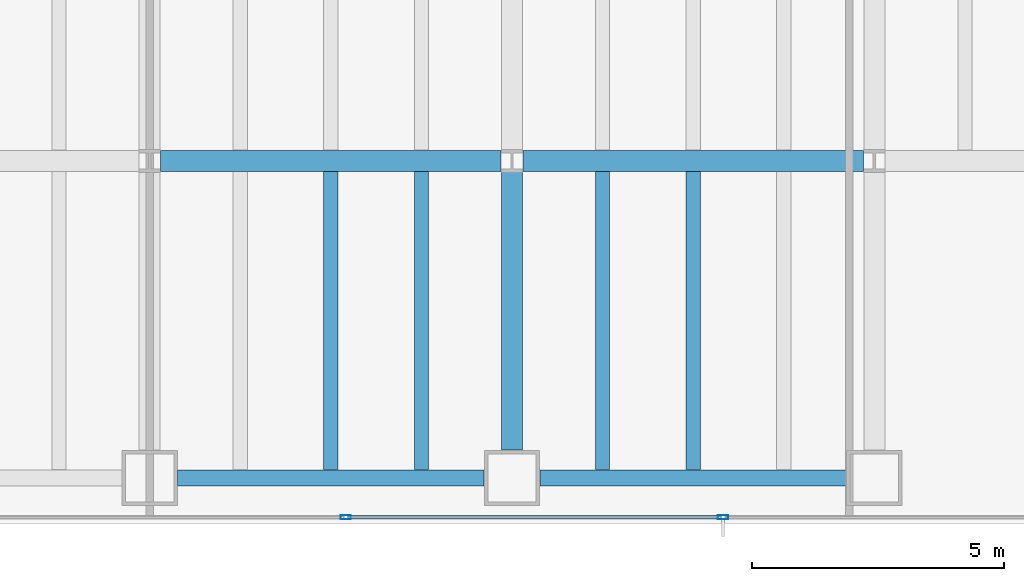
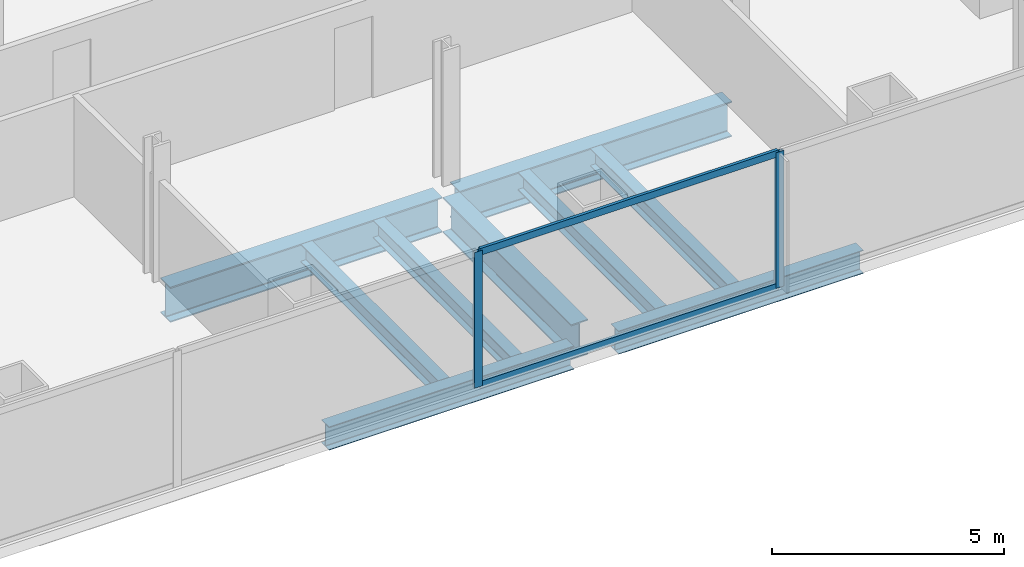
# One storey, part 7 of 25: 9 beams, 4 members, 1 element without a shape of its own.
"""IFC4 building model written with IfcOpenShell, lengths in metres."""

from ifc_helpers import new_model, si_unit, direction, frame, origin, origin_2d, place, context, subcontext, project, spatial, hollow_rectangle, i_section, extrude, material, material_profile, profile_set, type_object, element, aggregate, save


model = new_model("IFC4")

# Units and contexts
model_context = context("Model", 3, precision=1e-05, world=origin(), true_north=direction((0.0, 1.0)))
body_context = subcontext(model_context, "Body", "Model", "MODEL_VIEW")
ifc_project = project(units=[si_unit("LENGTHUNIT", "METRE"), si_unit("AREAUNIT", "SQUARE_METRE"), si_unit("VOLUMEUNIT", "CUBIC_METRE"), si_unit("PLANEANGLEUNIT", "RADIAN"), si_unit("MASSUNIT", "GRAM", prefix="KILO")], contexts=[model_context])

# Site, building, storey
site_placement = place(None, origin())
site = spatial("IfcSite", under=ifc_project, at=site_placement, CompositionType="ELEMENT")
building_placement = place(site_placement, origin())
building = spatial("IfcBuilding", under=site, at=building_placement, Name="Cobrela Telecom Tower", CompositionType="ELEMENT")
storey_placement = place(building_placement, frame((0.0, 0.0, 35.0)))
storey = spatial("IfcBuildingStorey", under=building, at=storey_placement, Name="L08", CompositionType="ELEMENT", Elevation=35.0)

# Beams
ifc_material_1 = material(Name="Steel ASTM A992 Grade 50", Category="steel")
ifc_material_profile_1 = material_profile(ifc_material_1, i_section(OverallWidth=0.4189453125, OverallDepth=0.927001953125, WebThickness=0.019287109375, FlangeThickness=0.031982421875, FilletRadius=0.02392578125, at=origin_2d()), Name="W36X231")
ifc_profile_set_1 = profile_set([ifc_material_profile_1], Name="Steel ASTM A992 Grade 50")
beam_type_1 = type_object("IfcBeamType", Name="BM-GIRD-02", PredefinedType="USERDEFINED", material=ifc_profile_set_1)
for number, where, z_axis, x_axis, name in (
    (1, (29.01611328125, 7.199951171875, -0.743408203125), (1.0, 0.0, 0.0), (0.0, 1.0, 0.0), "L08 Primary Girder X10"),
    (2, (36.216064453125, 7.199951171875, -0.743408203125), (1.0, 0.0, 0.0), (0.0, 1.0, 0.0), "L08 Primary Girder X11"),
):
    element("IfcBeam", number, at=place(storey_placement, frame(where, z_axis=z_axis, x_axis=x_axis)), inside=storey, type_object=beam_type_1, Name=name, ObjectType="GIRDER", PredefinedType="USERDEFINED", context=body_context, shape_type="SweptSolid", body=[
        extrude(i_section(OverallWidth=0.4189453125, OverallDepth=0.927001953125, WebThickness=0.019287109375, FlangeThickness=0.031982421875, FilletRadius=0.02392578125, at=origin_2d()), origin(), (0.0, 0.0, 1.0), 6.767822265625),
    ])
beam_placement = place(storey_placement, frame((36.0, 1.455078125, -0.743408203125), z_axis=(0.0, 1.0, 0.0), x_axis=(-1.0, 0.0, 0.0)))
element("IfcBeam", 3, at=beam_placement, inside=storey, type_object=beam_type_1, Name="L08 Primary Girder Y50", ObjectType="GIRDER", PredefinedType="USERDEFINED", context=body_context, shape_type="SweptSolid", body=[
    extrude(i_section(OverallWidth=0.4189453125, OverallDepth=0.927001953125, WebThickness=0.019287109375, FlangeThickness=0.031982421875, FilletRadius=0.02392578125, at=origin_2d()), origin(), (0.0, 0.0, 1.0), 5.52880859375),
])
ifc_material_profile_2 = material_profile(ifc_material_1, i_section(OverallWidth=0.281982421875, OverallDepth=0.467041015625, WebThickness=0.01220703125, FlangeThickness=0.01953125, FilletRadius=0.012939453125, at=origin_2d()), Name="W18X86")
ifc_profile_set_2 = profile_set([ifc_material_profile_2], Name="Steel ASTM A992 Grade 50")
beam_type_2 = type_object("IfcBeamType", Name="BM-JOIST-02", PredefinedType="JOIST", material=ifc_profile_set_2)
for number, where, z_axis, x_axis, name in (
    (4, (32.39990234375, 1.0673828125, -0.513427734375), (0.0, 1.0, 0.0), (-1.0, 0.0, 0.0), "L08 Secondary Composite Floor Beam J44"),
    (5, (34.199951171875, 1.0673828125, -0.513427734375), (0.0, 1.0, 0.0), (-1.0, 0.0, 0.0), "L08 Secondary Composite Floor Beam J47"),
    (6, (37.800048828125, 1.0673828125, -0.513427734375), (0.0, 1.0, 0.0), (-1.0, 0.0, 0.0), "L08 Secondary Composite Floor Beam J50"),
    (7, (39.60009765625, 1.0673828125, -0.513427734375), (0.0, 1.0, 0.0), (-1.0, 0.0, 0.0), "L08 Secondary Composite Floor Beam J53"),
):
    element("IfcBeam", number, at=place(storey_placement, frame(where, z_axis=z_axis, x_axis=x_axis)), inside=storey, type_object=beam_type_2, Name=name, PredefinedType="JOIST", context=body_context, shape_type="SweptSolid", body=[
        extrude(i_section(OverallWidth=0.281982421875, OverallDepth=0.467041015625, WebThickness=0.01220703125, FlangeThickness=0.01953125, FilletRadius=0.012939453125, at=origin_2d()), origin(), (0.0, 0.0, 1.0), 5.918212890625),
    ])
ifc_material_profile_3 = material_profile(ifc_material_1, i_section(OverallWidth=0.324951171875, OverallDepth=0.612060546875, WebThickness=0.0126953125, FlangeThickness=0.01904296875, FilletRadius=0.014892578125, at=origin_2d()), Name="W24X104")
ifc_profile_set_3 = profile_set([ifc_material_profile_3], Name="Steel ASTM A992 Grade 50")
beam_type_3 = type_object("IfcBeamType", Name="BM-SPAND-02", PredefinedType="SPANDREL", material=ifc_profile_set_3)
for number, where, z_axis, x_axis, name in (
    (8, (29.35498046875, 0.89990234375, -0.5859375), (1.0, 0.0, 0.0), (0.0, 1.0, 0.0), "L08 Perimeter Spandrel X04"),
    (9, (36.554931640625, 0.89990234375, -0.5859375), (1.0, 0.0, 0.0), (0.0, 1.0, 0.0), "L08 Perimeter Spandrel X05"),
):
    element("IfcBeam", number, at=place(storey_placement, frame(where, z_axis=z_axis, x_axis=x_axis)), inside=storey, type_object=beam_type_3, Name=name, PredefinedType="SPANDREL", context=body_context, shape_type="SweptSolid", body=[
        extrude(i_section(OverallWidth=0.324951171875, OverallDepth=0.612060546875, WebThickness=0.0126953125, FlangeThickness=0.01904296875, FilletRadius=0.014892578125, at=origin_2d()), origin(), (0.0, 0.0, 1.0), 6.090087890625),
    ])

# Curtain wall, members
ifc_material_2 = material(Name="Anodized Bronze Aluminium 6063-T6", Category="aluminium")
curtain_wall_type = type_object("IfcCurtainWallType", Name="CW-SYS-DATA", PredefinedType="USERDEFINED", material=ifc_material_2)
curtain_wall_placement = place(storey_placement, origin())
curtain_wall = element("IfcCurtainWall", 10, at=curtain_wall_placement, inside=storey, type_object=curtain_wall_type, Name="L08 Unitised Bronze Curtain Wall 17", ObjectType="UNITISED CURTAIN WALL", PredefinedType="USERDEFINED")
ifc_material_profile_4 = material_profile(ifc_material_2, hollow_rectangle(XDim=0.080078125, YDim=0.199951171875, WallThickness=0.00390625, at=origin_2d()), Name="ALU 80x200x4")
ifc_profile_set_4 = profile_set([ifc_material_profile_4], Name="Anodized Bronze Aluminium 6063-T6")
member_type_1 = type_object("IfcMemberType", Name="CW-SYS-DATA-MUL", PredefinedType="MULLION", material=ifc_profile_set_4)
member_1_placement = place(storey_placement, frame((40.193359375, 0.1201171875, 0.0), z_axis=(0.0, 0.0, 1.0), x_axis=(0.0, -1.0, 0.0)))
member_1 = element("IfcMember", 11, at=member_1_placement, type_object=member_type_1, Name="CW-DATA mullion 2", PredefinedType="MULLION", context=body_context, shape_type="SweptSolid", body=[
    extrude(hollow_rectangle(XDim=0.080078125, YDim=0.199951171875, WallThickness=0.00390625, at=origin_2d()), origin(), (0.0, 0.0, 1.0), 3.570068359375),
])
member_2_placement = place(storey_placement, frame((32.69677734375, 0.1201171875, 0.0), z_axis=(0.0, 0.0, 1.0), x_axis=(0.0, -1.0, 0.0)))
member_2 = element("IfcMember", 12, at=member_2_placement, type_object=member_type_1, Name="CW-DATA mullion 3", PredefinedType="MULLION", context=body_context, shape_type="SweptSolid", body=[
    extrude(hollow_rectangle(XDim=0.080078125, YDim=0.199951171875, WallThickness=0.00390625, at=origin_2d()), origin(), (0.0, 0.0, 1.0), 3.570068359375),
])
ifc_material_profile_5 = material_profile(ifc_material_2, hollow_rectangle(XDim=0.074951171875, YDim=0.179931640625, WallThickness=0.00390625, at=origin_2d()), Name="ALU 75x180x4")
ifc_profile_set_5 = profile_set([ifc_material_profile_5], Name="Anodized Bronze Aluminium 6063-T6")
member_type_2 = type_object("IfcMemberType", Name="CW-SYS-DATA-TRN", PredefinedType="USERDEFINED", material=ifc_profile_set_5)
member_3_placement = place(storey_placement, frame((40.1533203125, 0.1201171875, 0.03759765625), z_axis=(-1.0, 0.0, 0.0), x_axis=(0.0, -1.0, 0.0)))
member_3 = element("IfcMember", 13, at=member_3_placement, type_object=member_type_2, Name="CW-DATA transom 2.1", ObjectType="TRANSOM", PredefinedType="USERDEFINED", context=body_context, shape_type="SweptSolid", body=[
    extrude(hollow_rectangle(XDim=0.074951171875, YDim=0.179931640625, WallThickness=0.00390625, at=origin_2d()), origin(), (0.0, 0.0, 1.0), 7.416748046875),
])
member_4_placement = place(storey_placement, frame((40.1533203125, 0.1201171875, 3.532470703125), z_axis=(-1.0, 0.0, 0.0), x_axis=(0.0, -1.0, 0.0)))
member_4 = element("IfcMember", 14, at=member_4_placement, type_object=member_type_2, Name="CW-DATA transom 2.2", ObjectType="TRANSOM", PredefinedType="USERDEFINED", context=body_context, shape_type="SweptSolid", body=[
    extrude(hollow_rectangle(XDim=0.074951171875, YDim=0.179931640625, WallThickness=0.00390625, at=origin_2d()), origin(), (0.0, 0.0, 1.0), 7.416748046875),
])
aggregate(curtain_wall, [member_1, member_2, member_3, member_4])

save(model, "model.ifc")
